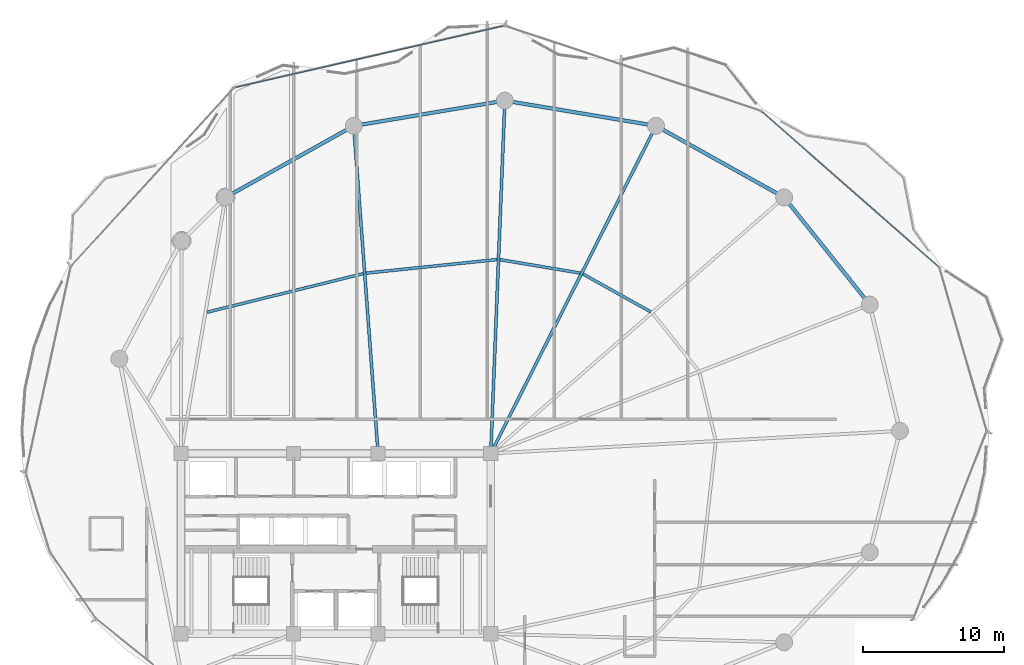
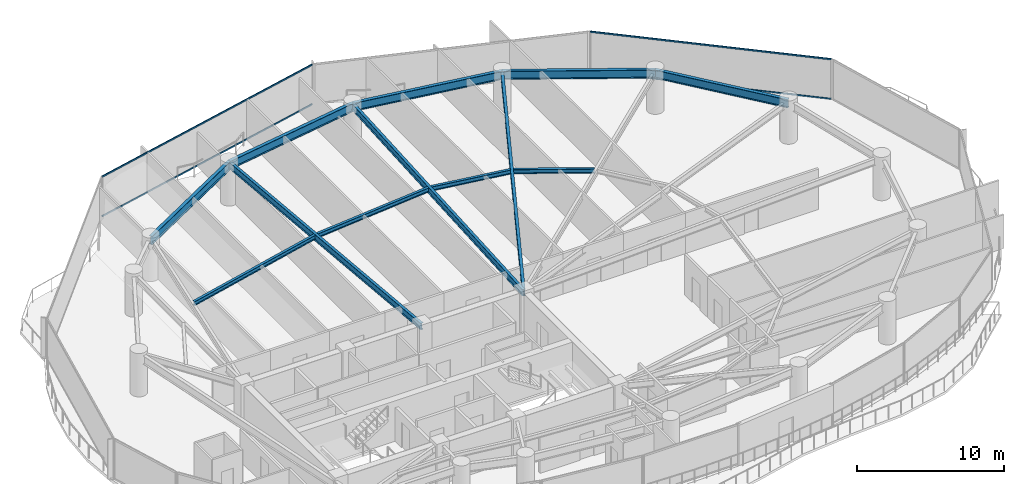
# One storey, part 20 of 34: 12 beams, 4 members, 2 elements without a shape of their own.
"""IFC4 building model written with IfcOpenShell, lengths in metres."""

from ifc_helpers import new_model, si_unit, direction, frame, origin, origin_2d, place, context, subcontext, project, spatial, hollow_rectangle, i_section, extrude, material, layer, layer_set, material_profile, profile_set, type_object, element, aggregate, save


model = new_model("IFC4")

# Units and contexts
model_context = context("Model", 3, precision=1e-05, world=origin(), true_north=direction((0.0, 1.0)))
body_context = subcontext(model_context, "Body", "Model", "MODEL_VIEW")
ifc_project = project(units=[si_unit("LENGTHUNIT", "METRE"), si_unit("AREAUNIT", "SQUARE_METRE"), si_unit("VOLUMEUNIT", "CUBIC_METRE"), si_unit("PLANEANGLEUNIT", "RADIAN"), si_unit("MASSUNIT", "GRAM", prefix="KILO")], contexts=[model_context])

# Site, building, storey
site_placement = place(None, origin())
site = spatial("IfcSite", under=ifc_project, at=site_placement, CompositionType="ELEMENT")
building_placement = place(site_placement, origin())
building = spatial("IfcBuilding", under=site, at=building_placement, Name="Kazevale Care Tower and Concert Hall", CompositionType="ELEMENT")
storey_placement = place(building_placement, frame((0.0, 0.0, 174.60009765625)))
storey = spatial("IfcBuildingStorey", under=building, at=storey_placement, Name="L46", CompositionType="ELEMENT", Elevation=174.60009765625)

# Curtain wall, members
ifc_material_1 = material(Name="Aluminium 6063-T6 and Low-E Glass", Category="aluminium")
ifc_layer = layer(ifc_material_1, 0.179931640625)
ifc_layer_set = layer_set([ifc_layer], Name="Aluminium 6063-T6 and Low-E Glass")
curtain_wall_type = type_object("IfcCurtainWallType", Name="Convex Recessed Sunroom Curtain Wall CW-3", PredefinedType="NOTDEFINED", material=ifc_layer_set)
curtain_wall_1_placement = place(storey_placement, origin())
curtain_wall_1 = element("IfcCurtainWall", 1, at=curtain_wall_1_placement, inside=storey, type_object=curtain_wall_type, Name="cw:L46:f15", PredefinedType="NOTDEFINED")
ifc_material_2 = material(Name="Aluminium 6063-T6", Category="aluminium")
ifc_material_profile_1 = material_profile(ifc_material_2, hollow_rectangle(XDim=0.074951171875, YDim=0.1201171875, WallThickness=0.00390625, at=origin_2d()), Name="ALU75x120x4")
ifc_profile_set_1 = profile_set([ifc_material_profile_1], Name="Aluminium 6063-T6")
member_type = type_object("IfcMemberType", Name="CW-3 Transom ALU75x120x4", PredefinedType="USERDEFINED", material=ifc_profile_set_1)
member_1_placement = place(storey_placement, frame((25.857177734375, 62.38671875, 0.037353515625), z_axis=(0.974688165128, 0.22356873833, 0.0), x_axis=(-0.22356873833, 0.974688165128, 0.0)))
member_1 = element("IfcMember", 2, at=member_1_placement, type_object=member_type, Name="CW-3 transom 1.1", ObjectType="TRANSOM", PredefinedType="USERDEFINED", context=body_context, shape_type="SweptSolid", body=[
    extrude(hollow_rectangle(XDim=0.074951171875, YDim=0.1201171875, WallThickness=0.00390625, at=origin_2d()), origin(), (0.0, 0.0, 1.0), 19.52197265625),
])
member_2_placement = place(storey_placement, frame((25.857177734375, 62.38671875, 3.322509765625), z_axis=(0.974688165128, 0.22356873833, 0.0), x_axis=(-0.22356873833, 0.974688165128, 0.0)))
member_2 = element("IfcMember", 3, at=member_2_placement, type_object=member_type, Name="CW-3 transom 1.2", ObjectType="TRANSOM", PredefinedType="USERDEFINED", context=body_context, shape_type="SweptSolid", body=[
    extrude(hollow_rectangle(XDim=0.074951171875, YDim=0.1201171875, WallThickness=0.00390625, at=origin_2d()), origin(), (0.0, 0.0, 1.0), 19.52197265625),
])
aggregate(curtain_wall_1, [member_1, member_2])

curtain_wall_2_placement = place(storey_placement, origin())
curtain_wall_2 = element("IfcCurtainWall", 4, at=curtain_wall_2_placement, inside=storey, type_object=curtain_wall_type, Name="cw:L46:f17", PredefinedType="NOTDEFINED")
member_3_placement = place(storey_placement, frame((63.2392578125, 60.672607421875, 0.037353515625), z_axis=(0.751360456021, -0.659892010202, 0.0), x_axis=(0.659892010202, 0.751360456021, 0.0)))
member_3 = element("IfcMember", 5, at=member_3_placement, type_object=member_type, Name="CW-3 transom 1.1", ObjectType="TRANSOM", PredefinedType="USERDEFINED", context=body_context, shape_type="SweptSolid", body=[
    extrude(hollow_rectangle(XDim=0.074951171875, YDim=0.1201171875, WallThickness=0.00390625, at=origin_2d()), origin(), (0.0, 0.0, 1.0), 16.72998046875),
])
member_4_placement = place(storey_placement, frame((63.2392578125, 60.672607421875, 3.322509765625), z_axis=(0.751360456021, -0.659892010202, 0.0), x_axis=(0.659892010202, 0.751360456021, 0.0)))
member_4 = element("IfcMember", 6, at=member_4_placement, type_object=member_type, Name="CW-3 transom 1.2", ObjectType="TRANSOM", PredefinedType="USERDEFINED", context=body_context, shape_type="SweptSolid", body=[
    extrude(hollow_rectangle(XDim=0.074951171875, YDim=0.1201171875, WallThickness=0.00390625, at=origin_2d()), origin(), (0.0, 0.0, 1.0), 16.72998046875),
])
aggregate(curtain_wall_2, [member_3, member_4])

# Beams
ifc_material_3 = material(Name="Steel ASTM A572 Gr 50", Category="steel")
ifc_material_profile_2 = material_profile(ifc_material_3, i_section(OverallWidth=0.2119140625, OverallDepth=0.5439453125, WebThickness=0.01318359375, FlangeThickness=0.021240234375, at=origin_2d()), Name="W530x123")
ifc_profile_set_2 = profile_set([ifc_material_profile_2], Name="Steel ASTM A572 Gr 50")
beam_type_1 = type_object("IfcBeamType", Name="Radial Floor Girder W530x123", PredefinedType="BEAM", material=ifc_profile_set_2)
beam_1_placement = place(storey_placement, frame((44.0, 36.39990234375, 3.087890625), z_axis=(0.450281187568, 0.892886808124, 0.0), x_axis=(-0.892886808124, 0.450281187568, 0.0)))
element("IfcBeam", 7, at=beam_1_placement, inside=storey, type_object=beam_type_1, Name="beam:L46:rad:04", PredefinedType="BEAM", context=body_context, shape_type="SweptSolid", body=[
    extrude(i_section(OverallWidth=0.2119140625, OverallDepth=0.5439453125, WebThickness=0.01318359375, FlangeThickness=0.021240234375, at=origin_2d()), origin(), (0.0, 0.0, 1.0), 26.05029296875),
])
beam_2_placement = place(storey_placement, frame((44.0, 36.39990234375, 3.087890625), z_axis=(0.039888311255, 0.99920414462, 0.0), x_axis=(-0.99920414462, 0.039888311255, 0.0)))
element("IfcBeam", 8, at=beam_2_placement, inside=storey, type_object=beam_type_1, Name="beam:L46:rad:05", PredefinedType="BEAM", context=body_context, shape_type="SweptSolid", body=[
    extrude(i_section(OverallWidth=0.2119140625, OverallDepth=0.5439453125, WebThickness=0.01318359375, FlangeThickness=0.021240234375, at=origin_2d()), origin(), (0.0, 0.0, 1.0), 25.070068359375),
])
beam_3_placement = place(storey_placement, frame((36.0, 36.39990234375, 3.087890625), z_axis=(-0.074170876808, 0.997245547011, 0.0), x_axis=(-0.997245547011, -0.074170876808, 0.0)))
element("IfcBeam", 9, at=beam_3_placement, inside=storey, type_object=beam_type_1, Name="beam:L46:rad:06", PredefinedType="BEAM", context=body_context, shape_type="SweptSolid", body=[
    extrude(i_section(OverallWidth=0.2119140625, OverallDepth=0.5439453125, WebThickness=0.01318359375, FlangeThickness=0.021240234375, at=origin_2d()), origin(), (0.0, 0.0, 1.0), 23.32421875),
])
ifc_material_profile_3 = material_profile(ifc_material_3, i_section(OverallWidth=0.205078125, OverallDepth=0.35400390625, WebThickness=0.009521484375, FlangeThickness=0.016845703125, at=origin_2d()), Name="W360x79")
ifc_profile_set_3 = profile_set([ifc_material_profile_3], Name="Steel ASTM A572 Gr 50")
beam_type_2 = type_object("IfcBeamType", Name="Secondary Floor Joist W360x79", PredefinedType="JOIST", material=ifc_profile_set_3)
beam_4_placement = place(storey_placement, frame((55.364990234375, 46.449951171875, 3.182861328125), z_axis=(-0.873137755824, 0.487473547338, 0.0), x_axis=(-0.487473547338, -0.873137755824, 0.0)))
element("IfcBeam", 10, at=beam_4_placement, inside=storey, type_object=beam_type_2, Name="beam:L46:joist:03", PredefinedType="JOIST", context=body_context, shape_type="SweptSolid", body=[
    extrude(i_section(OverallWidth=0.205078125, OverallDepth=0.35400390625, WebThickness=0.009521484375, FlangeThickness=0.016845703125, at=origin_2d()), origin(), (0.0, 0.0, 1.0), 5.522705078125),
])
beam_5_placement = place(storey_placement, frame((50.347900390625, 49.2099609375, 3.182861328125), z_axis=(-0.986366476547, 0.164563586324, 0.0), x_axis=(-0.164563586324, -0.986366476547, 0.0)))
element("IfcBeam", 11, at=beam_5_placement, inside=storey, type_object=beam_type_2, Name="beam:L46:joist:04", PredefinedType="JOIST", context=body_context, shape_type="SweptSolid", body=[
    extrude(i_section(OverallWidth=0.205078125, OverallDepth=0.35400390625, WebThickness=0.009521484375, FlangeThickness=0.016845703125, at=origin_2d()), origin(), (0.0, 0.0, 1.0), 5.7724609375),
])
beam_6_placement = place(storey_placement, frame((44.446044921875, 50.1669921875, 3.182861328125), z_axis=(-0.994674810104, -0.10306319491, 0.0), x_axis=(0.10306319491, -0.994674810104, 0.0)))
element("IfcBeam", 12, at=beam_6_placement, inside=storey, type_object=beam_type_2, Name="beam:L46:joist:05", PredefinedType="JOIST", context=body_context, shape_type="SweptSolid", body=[
    extrude(i_section(OverallWidth=0.205078125, OverallDepth=0.35400390625, WebThickness=0.009521484375, FlangeThickness=0.016845703125, at=origin_2d()), origin(), (0.0, 0.0, 1.0), 9.3427734375),
])
beam_7_placement = place(storey_placement, frame((34.947021484375, 49.16796875, 3.182861328125), z_axis=(-0.970789504014, -0.239932779954, 0.0), x_axis=(0.239932779954, -0.970789504014, 0.0)))
element("IfcBeam", 13, at=beam_7_placement, inside=storey, type_object=beam_type_2, Name="beam:L46:joist:06", PredefinedType="JOIST", context=body_context, shape_type="SweptSolid", body=[
    extrude(i_section(OverallWidth=0.205078125, OverallDepth=0.35400390625, WebThickness=0.009521484375, FlangeThickness=0.016845703125, at=origin_2d()), origin(), (0.0, 0.0, 1.0), 11.43603515625),
])
ifc_material_profile_4 = material_profile(ifc_material_3, i_section(OverallWidth=0.256103515625, OverallDepth=0.693115234375, WebThickness=0.014404296875, FlangeThickness=0.023681640625, at=origin_2d()), Name="W690x170")
ifc_profile_set_4 = profile_set([ifc_material_profile_4], Name="Steel ASTM A572 Gr 50")
beam_type_3 = type_object("IfcBeamType", Name="Waist Ring Beam W690x170", PredefinedType="BEAM", material=ifc_profile_set_4)
beam_8_placement = place(storey_placement, frame((70.909912109375, 46.969970703125, 3.013427734375), z_axis=(-0.624178340034, 0.781281895242, 0.0), x_axis=(-0.781281895242, -0.624178340034, 0.0)))
element("IfcBeam", 14, at=beam_8_placement, inside=storey, type_object=beam_type_3, Name="beam:L46:ring:02", PredefinedType="BEAM", context=body_context, shape_type="SweptSolid", body=[
    extrude(i_section(OverallWidth=0.256103515625, OverallDepth=0.693115234375, WebThickness=0.014404296875, FlangeThickness=0.023681640625, at=origin_2d()), origin(), (0.0, 0.0, 1.0), 9.740478515625),
])
beam_9_placement = place(storey_placement, frame((64.830078125, 54.580078125, 3.013427734375), z_axis=(-0.873168720251, 0.487418081297, 0.0), x_axis=(-0.487418081297, -0.873168720251, 0.0)))
element("IfcBeam", 15, at=beam_9_placement, inside=storey, type_object=beam_type_3, Name="beam:L46:ring:03", PredefinedType="BEAM", context=body_context, shape_type="SweptSolid", body=[
    extrude(i_section(OverallWidth=0.256103515625, OverallDepth=0.693115234375, WebThickness=0.014404296875, FlangeThickness=0.023681640625, at=origin_2d()), origin(), (0.0, 0.0, 1.0), 10.421875),
])
for number, where, z_axis, x_axis, name in (
    (16, (55.72998046875, 59.659912109375, 3.013427734375), (-0.986368436187, 0.164551840139, 0.0), (-0.164551840139, -0.986368436187, 0.0), "beam:L46:ring:04"),
    (17, (45.0, 61.449951171875, 3.013427734375), (-0.986368436187, -0.164551840139, 0.0), (0.164551840139, -0.986368436187, 0.0), "beam:L46:ring:05"),
):
    element("IfcBeam", number, at=place(storey_placement, frame(where, z_axis=z_axis, x_axis=x_axis)), inside=storey, type_object=beam_type_3, Name=name, PredefinedType="BEAM", context=body_context, shape_type="SweptSolid", body=[
        extrude(i_section(OverallWidth=0.256103515625, OverallDepth=0.693115234375, WebThickness=0.014404296875, FlangeThickness=0.023681640625, at=origin_2d()), origin(), (0.0, 0.0, 1.0), 10.878173828125),
    ])
beam_10_placement = place(storey_placement, frame((34.27001953125, 59.659912109375, 3.013427734375), z_axis=(-0.873168720251, -0.487418081297, 0.0), x_axis=(0.487418081297, -0.873168720251, 0.0)))
element("IfcBeam", 18, at=beam_10_placement, inside=storey, type_object=beam_type_3, Name="beam:L46:ring:06", PredefinedType="BEAM", context=body_context, shape_type="SweptSolid", body=[
    extrude(i_section(OverallWidth=0.256103515625, OverallDepth=0.693115234375, WebThickness=0.014404296875, FlangeThickness=0.023681640625, at=origin_2d()), origin(), (0.0, 0.0, 1.0), 10.421875),
])

save(model, "model.ifc")
